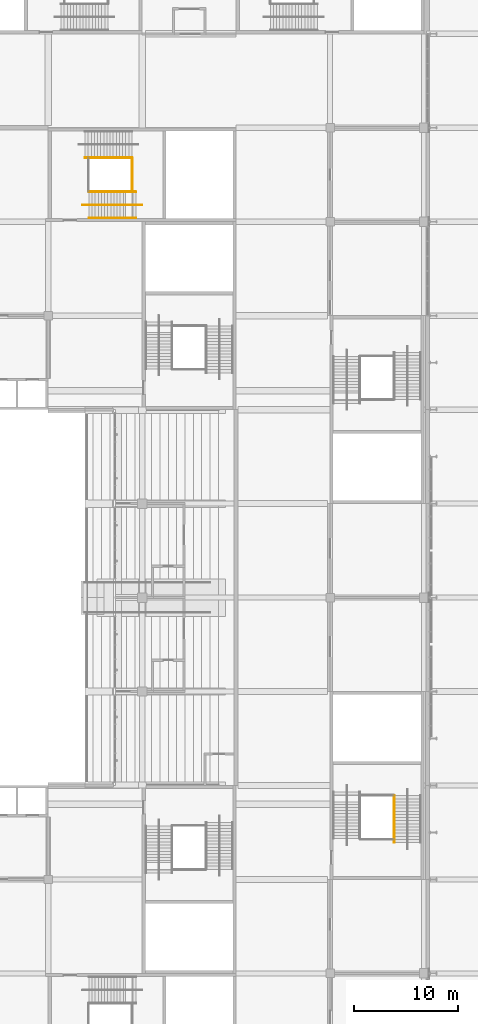
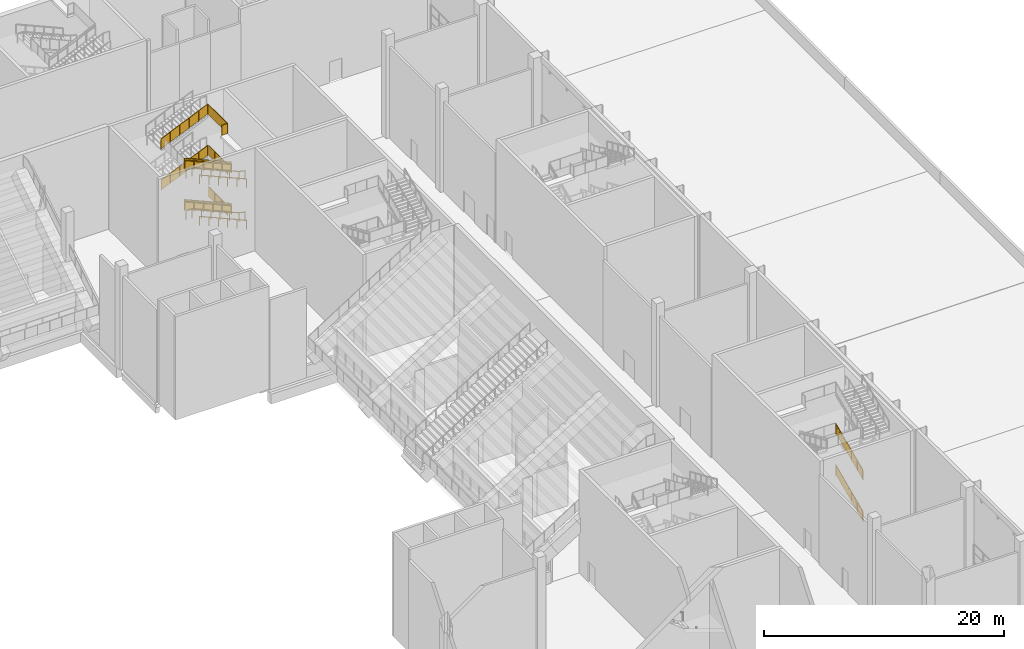
# One storey, part 166 of 182: 18 railings.
"""IFC4 building model written with IfcOpenShell, lengths in metres."""

from ifc_helpers import new_model, si_unit, direction, frame, origin, origin_2d, place, context, subcontext, project, spatial, polyline, circle, outline, extrude, material, type_object, element, save


model = new_model("IFC4")

# Units and contexts
model_context = context("Model", 3, precision=1e-05, world=origin(), true_north=direction((0.0, 1.0)))
body_context = subcontext(model_context, "Body", "Model", "MODEL_VIEW")
ifc_project = project(units=[si_unit("LENGTHUNIT", "METRE"), si_unit("AREAUNIT", "SQUARE_METRE"), si_unit("VOLUMEUNIT", "CUBIC_METRE"), si_unit("PLANEANGLEUNIT", "RADIAN"), si_unit("MASSUNIT", "GRAM", prefix="KILO")], contexts=[model_context])

# Site, building, storey
site_placement = place(None, origin())
site = spatial("IfcSite", under=ifc_project, at=site_placement, CompositionType="ELEMENT")
building_placement = place(site_placement, origin())
building = spatial("IfcBuilding", under=site, at=building_placement, Name="Silverbay Arena", CompositionType="ELEMENT")
storey_placement = place(building_placement, frame((0.0, 0.0, 11.5)))
storey = spatial("IfcBuildingStorey", under=building, at=storey_placement, Name="L02", CompositionType="ELEMENT", Elevation=11.5)

# Railings
ifc_material_1 = material(Name="Stainless steel", Category="steel")
railing_type_1 = type_object("IfcRailingType", Name="Stair guard 1100", PredefinedType="GUARDRAIL", material=ifc_material_1)
railing_1_placement = place(storey_placement, frame((204.125, 57.52587890625, 0.13134765625)))
element("IfcRailing", 1, at=railing_1_placement, inside=storey, type_object=railing_type_1, Name="Stair ST-E1 L02 to L03 flight 1 guard left", PredefinedType="GUARDRAIL", context=body_context, shape_type="SweptSolid", body=[
    extrude(circle(Radius=0.02392578125, at=origin_2d()), frame((0.0, 0.0, 1.076171875), z_axis=(0.0, 0.916157334902, 0.40081883402), x_axis=(-1.0, 0.0, 0.0)), (0.0, 0.0, 1.0), 4.911865234375),
    extrude(outline(polyline([(-0.008056640625, 0.04638671875), (0.907958984375, 0.447265625), (0.907958984375, 1.4501953125), (-0.008056640625, 1.049560546875), (-0.008056640625, 0.04638671875)])), frame((-0.0029296875, 0.0, 0.0), z_axis=(1.0, 0.0, 0.0), x_axis=(0.0, 1.0, 0.0)), (0.0, 0.0, 1.0), 0.006103515625),
    extrude(outline(polyline([(-0.008056640625, 0.440185546875), (0.907958984375, 0.841064453125), (0.907958984375, 1.843994140625), (-0.008056640625, 1.443359375), (-0.008056640625, 0.440185546875)])), frame((-0.0029296875, 0.89990234375, 0.0), z_axis=(1.0, 0.0, 0.0), x_axis=(0.0, 1.0, 0.0)), (0.0, 0.0, 1.0), 0.006103515625),
    extrude(outline(polyline([(-0.008056640625, 0.833984375), (0.907958984375, 1.23486328125), (0.907958984375, 2.23779296875), (-0.008056640625, 1.8369140625), (-0.008056640625, 0.833984375)])), frame((-0.0029296875, 1.800048828125, 0.0), z_axis=(1.0, 0.0, 0.0), x_axis=(0.0, 1.0, 0.0)), (0.0, 0.0, 1.0), 0.006103515625),
    extrude(outline(polyline([(-0.008056640625, 1.227783203125), (0.907958984375, 1.62841796875), (0.907958984375, 2.631591796875), (-0.008056640625, 2.230712890625), (-0.008056640625, 1.227783203125)])), frame((-0.0029296875, 2.699951171875, 0.0), z_axis=(1.0, 0.0, 0.0), x_axis=(0.0, 1.0, 0.0)), (0.0, 0.0, 1.0), 0.006103515625),
    extrude(outline(polyline([(-0.008056640625, 1.62158203125), (0.907958984375, 2.022216796875), (0.907958984375, 3.025146484375), (-0.008056640625, 2.62451171875), (-0.008056640625, 1.62158203125)])), frame((-0.0029296875, 3.60009765625, 0.0), z_axis=(1.0, 0.0, 0.0), x_axis=(0.0, 1.0, 0.0)), (0.0, 0.0, 1.0), 0.006103515625),
    extrude(circle(Radius=0.02099609375, at=origin_2d()), origin(), (0.0, 0.0, 1.0), 1.052001953125),
    extrude(circle(Radius=0.02099609375, at=origin_2d()), frame((0.0, 0.89990234375, 0.393798828125)), (0.0, 0.0, 1.0), 1.052001953125),
    extrude(circle(Radius=0.02099609375, at=origin_2d()), frame((0.0, 1.800048828125, 0.78759765625)), (0.0, 0.0, 1.0), 1.052001953125),
    extrude(circle(Radius=0.02099609375, at=origin_2d()), frame((0.0, 2.699951171875, 1.18115234375)), (0.0, 0.0, 1.0), 1.052001953125),
    extrude(circle(Radius=0.02099609375, at=origin_2d()), frame((0.0, 3.60009765625, 1.574951171875)), (0.0, 0.0, 1.0), 1.052001953125),
    extrude(circle(Radius=0.02099609375, at=origin_2d()), frame((0.0, 4.5, 1.96875)), (0.0, 0.0, 1.0), 1.052001953125),
])
railing_2_placement = place(storey_placement, frame((204.125, 57.52587890625, 4.331298828125)))
element("IfcRailing", 2, at=railing_2_placement, inside=storey, type_object=railing_type_1, Name="Stair ST-E1 L02 to L03 flight 3 guard left", PredefinedType="GUARDRAIL", context=body_context, shape_type="SweptSolid", body=[
    extrude(circle(Radius=0.02392578125, at=origin_2d()), frame((0.0, 0.0, 1.076171875), z_axis=(0.0, 0.916157334902, 0.40081883402), x_axis=(-1.0, 0.0, 0.0)), (0.0, 0.0, 1.0), 4.911865234375),
    extrude(outline(polyline([(-0.008056640625, 0.04638671875), (0.907958984375, 0.447265625), (0.907958984375, 1.4501953125), (-0.008056640625, 1.049560546875), (-0.008056640625, 0.04638671875)])), frame((-0.0029296875, 0.0, 0.0), z_axis=(1.0, 0.0, 0.0), x_axis=(0.0, 1.0, 0.0)), (0.0, 0.0, 1.0), 0.006103515625),
    extrude(outline(polyline([(-0.008056640625, 0.440185546875), (0.907958984375, 0.841064453125), (0.907958984375, 1.843994140625), (-0.008056640625, 1.443359375), (-0.008056640625, 0.440185546875)])), frame((-0.0029296875, 0.89990234375, 0.0), z_axis=(1.0, 0.0, 0.0), x_axis=(0.0, 1.0, 0.0)), (0.0, 0.0, 1.0), 0.006103515625),
    extrude(outline(polyline([(-0.008056640625, 0.833984375), (0.907958984375, 1.23486328125), (0.907958984375, 2.23779296875), (-0.008056640625, 1.8369140625), (-0.008056640625, 0.833984375)])), frame((-0.0029296875, 1.800048828125, 0.0), z_axis=(1.0, 0.0, 0.0), x_axis=(0.0, 1.0, 0.0)), (0.0, 0.0, 1.0), 0.006103515625),
    extrude(outline(polyline([(-0.008056640625, 1.227783203125), (0.907958984375, 1.62841796875), (0.907958984375, 2.631591796875), (-0.008056640625, 2.230712890625), (-0.008056640625, 1.227783203125)])), frame((-0.0029296875, 2.699951171875, 0.0), z_axis=(1.0, 0.0, 0.0), x_axis=(0.0, 1.0, 0.0)), (0.0, 0.0, 1.0), 0.006103515625),
    extrude(outline(polyline([(-0.008056640625, 1.62158203125), (0.907958984375, 2.022216796875), (0.907958984375, 3.025146484375), (-0.008056640625, 2.62451171875), (-0.008056640625, 1.62158203125)])), frame((-0.0029296875, 3.60009765625, 0.0), z_axis=(1.0, 0.0, 0.0), x_axis=(0.0, 1.0, 0.0)), (0.0, 0.0, 1.0), 0.006103515625),
    extrude(circle(Radius=0.02099609375, at=origin_2d()), origin(), (0.0, 0.0, 1.0), 1.052001953125),
    extrude(circle(Radius=0.02099609375, at=origin_2d()), frame((0.0, 0.89990234375, 0.393798828125)), (0.0, 0.0, 1.0), 1.052001953125),
    extrude(circle(Radius=0.02099609375, at=origin_2d()), frame((0.0, 1.800048828125, 0.78759765625)), (0.0, 0.0, 1.0), 1.052001953125),
    extrude(circle(Radius=0.02099609375, at=origin_2d()), frame((0.0, 2.699951171875, 1.18115234375)), (0.0, 0.0, 1.0), 1.052001953125),
    extrude(circle(Radius=0.02099609375, at=origin_2d()), frame((0.0, 3.60009765625, 1.574951171875)), (0.0, 0.0, 1.0), 1.052001953125),
    extrude(circle(Radius=0.02099609375, at=origin_2d()), frame((0.0, 4.5, 1.96875)), (0.0, 0.0, 1.0), 1.052001953125),
])
railing_3_placement = place(storey_placement, frame((179.39990234375, 119.875, 2.231201171875)))
element("IfcRailing", 3, at=railing_3_placement, inside=storey, type_object=railing_type_1, Name="Stair ST-NE1 L02 to L03 flight 2 guard right", PredefinedType="GUARDRAIL", context=body_context, shape_type="SweptSolid", body=[
    extrude(circle(Radius=0.02392578125, at=origin_2d()), frame((0.0, 0.0, 1.076171875), z_axis=(-0.916157334902, 0.0, 0.40081883402), x_axis=(0.0, -1.0, 0.0)), (0.0, 0.0, 1.0), 4.911865234375),
    extrude(outline(polyline([(-0.008056640625, 0.04638671875), (0.907958984375, 0.447265625), (0.907958984375, 1.4501953125), (-0.008056640625, 1.049560546875), (-0.008056640625, 0.04638671875)])), frame((0.0, -0.0029296875, 0.0), z_axis=(0.0, 1.0, 0.0), x_axis=(-1.0, 0.0, 0.0)), (0.0, 0.0, 1.0), 0.006103515625),
    extrude(outline(polyline([(-0.008056640625, 0.440185546875), (0.907958984375, 0.841064453125), (0.907958984375, 1.843994140625), (-0.008056640625, 1.443359375), (-0.008056640625, 0.440185546875)])), frame((-0.89990234375, -0.0029296875, 0.0), z_axis=(0.0, 1.0, 0.0), x_axis=(-1.0, 0.0, 0.0)), (0.0, 0.0, 1.0), 0.006103515625),
    extrude(outline(polyline([(-0.008056640625, 0.833984375), (0.907958984375, 1.23486328125), (0.907958984375, 2.23779296875), (-0.008056640625, 1.8369140625), (-0.008056640625, 0.833984375)])), frame((-1.800048828125, -0.0029296875, 0.0), z_axis=(0.0, 1.0, 0.0), x_axis=(-1.0, 0.0, 0.0)), (0.0, 0.0, 1.0), 0.006103515625),
    extrude(outline(polyline([(-0.008056640625, 1.227783203125), (0.907958984375, 1.62841796875), (0.907958984375, 2.631591796875), (-0.008056640625, 2.230712890625), (-0.008056640625, 1.227783203125)])), frame((-2.699951171875, -0.0029296875, 0.0), z_axis=(0.0, 1.0, 0.0), x_axis=(-1.0, 0.0, 0.0)), (0.0, 0.0, 1.0), 0.006103515625),
    extrude(outline(polyline([(-0.008056640625, 1.62158203125), (0.907958984375, 2.022216796875), (0.907958984375, 3.025146484375), (-0.008056640625, 2.62451171875), (-0.008056640625, 1.62158203125)])), frame((-3.60009765625, -0.0029296875, 0.0), z_axis=(0.0, 1.0, 0.0), x_axis=(-1.0, 0.0, 0.0)), (0.0, 0.0, 1.0), 0.006103515625),
    extrude(circle(Radius=0.02099609375, at=origin_2d()), origin(), (0.0, 0.0, 1.0), 1.052001953125),
    extrude(circle(Radius=0.02099609375, at=origin_2d()), frame((-0.89990234375, 0.0, 0.393798828125)), (0.0, 0.0, 1.0), 1.052001953125),
    extrude(circle(Radius=0.02099609375, at=origin_2d()), frame((-1.800048828125, 0.0, 0.78759765625)), (0.0, 0.0, 1.0), 1.052001953125),
    extrude(circle(Radius=0.02099609375, at=origin_2d()), frame((-2.699951171875, 0.0, 1.18115234375)), (0.0, 0.0, 1.0), 1.052001953125),
    extrude(circle(Radius=0.02099609375, at=origin_2d()), frame((-3.60009765625, 0.0, 1.574951171875)), (0.0, 0.0, 1.0), 1.052001953125),
    extrude(circle(Radius=0.02099609375, at=origin_2d()), frame((-4.5, 0.0, 1.96875)), (0.0, 0.0, 1.0), 1.052001953125),
])
railing_4_placement = place(storey_placement, frame((174.52587890625, 123.125, 4.331298828125)))
element("IfcRailing", 4, at=railing_4_placement, inside=storey, type_object=railing_type_1, Name="Stair ST-NE1 L02 to L03 flight 3 guard left", PredefinedType="GUARDRAIL", context=body_context, shape_type="SweptSolid", body=[
    extrude(circle(Radius=0.02392578125, at=origin_2d()), frame((0.0, 0.0, 1.076171875), z_axis=(0.916157334902, 0.0, 0.40081883402), x_axis=(0.0, 1.0, 0.0)), (0.0, 0.0, 1.0), 4.911865234375),
    extrude(outline(polyline([(-0.008056640625, 0.04638671875), (0.907958984375, 0.447265625), (0.907958984375, 1.4501953125), (-0.008056640625, 1.049560546875), (-0.008056640625, 0.04638671875)])), frame((0.0, 0.0029296875, 0.0), z_axis=(0.0, -1.0, 0.0), x_axis=(1.0, 0.0, 0.0)), (0.0, 0.0, 1.0), 0.006103515625),
    extrude(outline(polyline([(-0.008056640625, 0.440185546875), (0.907958984375, 0.841064453125), (0.907958984375, 1.843994140625), (-0.008056640625, 1.443359375), (-0.008056640625, 0.440185546875)])), frame((0.89990234375, 0.0029296875, 0.0), z_axis=(0.0, -1.0, 0.0), x_axis=(1.0, 0.0, 0.0)), (0.0, 0.0, 1.0), 0.006103515625),
    extrude(outline(polyline([(-0.008056640625, 0.833984375), (0.907958984375, 1.23486328125), (0.907958984375, 2.23779296875), (-0.008056640625, 1.8369140625), (-0.008056640625, 0.833984375)])), frame((1.800048828125, 0.0029296875, 0.0), z_axis=(0.0, -1.0, 0.0), x_axis=(1.0, 0.0, 0.0)), (0.0, 0.0, 1.0), 0.006103515625),
    extrude(outline(polyline([(-0.008056640625, 1.227783203125), (0.907958984375, 1.62841796875), (0.907958984375, 2.631591796875), (-0.008056640625, 2.230712890625), (-0.008056640625, 1.227783203125)])), frame((2.699951171875, 0.0029296875, 0.0), z_axis=(0.0, -1.0, 0.0), x_axis=(1.0, 0.0, 0.0)), (0.0, 0.0, 1.0), 0.006103515625),
    extrude(outline(polyline([(-0.008056640625, 1.62158203125), (0.907958984375, 2.022216796875), (0.907958984375, 3.025146484375), (-0.008056640625, 2.62451171875), (-0.008056640625, 1.62158203125)])), frame((3.60009765625, 0.0029296875, 0.0), z_axis=(0.0, -1.0, 0.0), x_axis=(1.0, 0.0, 0.0)), (0.0, 0.0, 1.0), 0.006103515625),
    extrude(circle(Radius=0.02099609375, at=origin_2d()), origin(), (0.0, 0.0, 1.0), 1.052001953125),
    extrude(circle(Radius=0.02099609375, at=origin_2d()), frame((0.89990234375, 0.0, 0.393798828125)), (0.0, 0.0, 1.0), 1.052001953125),
    extrude(circle(Radius=0.02099609375, at=origin_2d()), frame((1.800048828125, 0.0, 0.78759765625)), (0.0, 0.0, 1.0), 1.052001953125),
    extrude(circle(Radius=0.02099609375, at=origin_2d()), frame((2.699951171875, 0.0, 1.18115234375)), (0.0, 0.0, 1.0), 1.052001953125),
    extrude(circle(Radius=0.02099609375, at=origin_2d()), frame((3.60009765625, 0.0, 1.574951171875)), (0.0, 0.0, 1.0), 1.052001953125),
    extrude(circle(Radius=0.02099609375, at=origin_2d()), frame((4.5, 0.0, 1.96875)), (0.0, 0.0, 1.0), 1.052001953125),
])
railing_5_placement = place(storey_placement, frame((179.39990234375, 119.875, 6.43115234375)))
element("IfcRailing", 5, at=railing_5_placement, inside=storey, type_object=railing_type_1, Name="Stair ST-NE1 L02 to L03 flight 4 guard right", PredefinedType="GUARDRAIL", context=body_context, shape_type="SweptSolid", body=[
    extrude(circle(Radius=0.02392578125, at=origin_2d()), frame((0.0, 0.0, 1.076171875), z_axis=(-0.916157334902, 0.0, 0.40081883402), x_axis=(0.0, -1.0, 0.0)), (0.0, 0.0, 1.0), 4.911865234375),
    extrude(outline(polyline([(-0.008056640625, 0.04638671875), (0.907958984375, 0.447265625), (0.907958984375, 1.4501953125), (-0.008056640625, 1.049560546875), (-0.008056640625, 0.04638671875)])), frame((0.0, -0.0029296875, 0.0), z_axis=(0.0, 1.0, 0.0), x_axis=(-1.0, 0.0, 0.0)), (0.0, 0.0, 1.0), 0.006103515625),
    extrude(outline(polyline([(-0.008056640625, 0.440185546875), (0.907958984375, 0.841064453125), (0.907958984375, 1.843994140625), (-0.008056640625, 1.443359375), (-0.008056640625, 0.440185546875)])), frame((-0.89990234375, -0.0029296875, 0.0), z_axis=(0.0, 1.0, 0.0), x_axis=(-1.0, 0.0, 0.0)), (0.0, 0.0, 1.0), 0.006103515625),
    extrude(outline(polyline([(-0.008056640625, 0.833984375), (0.907958984375, 1.23486328125), (0.907958984375, 2.23779296875), (-0.008056640625, 1.8369140625), (-0.008056640625, 0.833984375)])), frame((-1.800048828125, -0.0029296875, 0.0), z_axis=(0.0, 1.0, 0.0), x_axis=(-1.0, 0.0, 0.0)), (0.0, 0.0, 1.0), 0.006103515625),
    extrude(outline(polyline([(-0.008056640625, 1.227783203125), (0.907958984375, 1.62841796875), (0.907958984375, 2.631591796875), (-0.008056640625, 2.230712890625), (-0.008056640625, 1.227783203125)])), frame((-2.699951171875, -0.0029296875, 0.0), z_axis=(0.0, 1.0, 0.0), x_axis=(-1.0, 0.0, 0.0)), (0.0, 0.0, 1.0), 0.006103515625),
    extrude(outline(polyline([(-0.008056640625, 1.62158203125), (0.907958984375, 2.022216796875), (0.907958984375, 3.025146484375), (-0.008056640625, 2.62451171875), (-0.008056640625, 1.62158203125)])), frame((-3.60009765625, -0.0029296875, 0.0), z_axis=(0.0, 1.0, 0.0), x_axis=(-1.0, 0.0, 0.0)), (0.0, 0.0, 1.0), 0.006103515625),
    extrude(circle(Radius=0.02099609375, at=origin_2d()), origin(), (0.0, 0.0, 1.0), 1.052001953125),
    extrude(circle(Radius=0.02099609375, at=origin_2d()), frame((-0.89990234375, 0.0, 0.393798828125)), (0.0, 0.0, 1.0), 1.052001953125),
    extrude(circle(Radius=0.02099609375, at=origin_2d()), frame((-1.800048828125, 0.0, 0.78759765625)), (0.0, 0.0, 1.0), 1.052001953125),
    extrude(circle(Radius=0.02099609375, at=origin_2d()), frame((-2.699951171875, 0.0, 1.18115234375)), (0.0, 0.0, 1.0), 1.052001953125),
    extrude(circle(Radius=0.02099609375, at=origin_2d()), frame((-3.60009765625, 0.0, 1.574951171875)), (0.0, 0.0, 1.0), 1.052001953125),
    extrude(circle(Radius=0.02099609375, at=origin_2d()), frame((-4.5, 0.0, 1.96875)), (0.0, 0.0, 1.0), 1.052001953125),
])
railing_6_placement = place(storey_placement, frame((174.52587890625, 123.125, 8.53125)))
element("IfcRailing", 6, at=railing_6_placement, inside=storey, type_object=railing_type_1, Name="Stair ST-NE1 L02 to L03 flight 5 guard left", PredefinedType="GUARDRAIL", context=body_context, shape_type="SweptSolid", body=[
    extrude(circle(Radius=0.02392578125, at=origin_2d()), frame((0.0, 0.0, 1.076171875), z_axis=(0.916157334902, 0.0, 0.40081883402), x_axis=(0.0, 1.0, 0.0)), (0.0, 0.0, 1.0), 4.911865234375),
    extrude(outline(polyline([(-0.008056640625, 0.04638671875), (0.907958984375, 0.447265625), (0.907958984375, 1.4501953125), (-0.008056640625, 1.049560546875), (-0.008056640625, 0.04638671875)])), frame((0.0, 0.0029296875, 0.0), z_axis=(0.0, -1.0, 0.0), x_axis=(1.0, 0.0, 0.0)), (0.0, 0.0, 1.0), 0.006103515625),
    extrude(outline(polyline([(-0.008056640625, 0.440185546875), (0.907958984375, 0.841064453125), (0.907958984375, 1.843994140625), (-0.008056640625, 1.443359375), (-0.008056640625, 0.440185546875)])), frame((0.89990234375, 0.0029296875, 0.0), z_axis=(0.0, -1.0, 0.0), x_axis=(1.0, 0.0, 0.0)), (0.0, 0.0, 1.0), 0.006103515625),
    extrude(outline(polyline([(-0.008056640625, 0.833984375), (0.907958984375, 1.23486328125), (0.907958984375, 2.23779296875), (-0.008056640625, 1.8369140625), (-0.008056640625, 0.833984375)])), frame((1.800048828125, 0.0029296875, 0.0), z_axis=(0.0, -1.0, 0.0), x_axis=(1.0, 0.0, 0.0)), (0.0, 0.0, 1.0), 0.006103515625),
    extrude(outline(polyline([(-0.008056640625, 1.227783203125), (0.907958984375, 1.62841796875), (0.907958984375, 2.631591796875), (-0.008056640625, 2.230712890625), (-0.008056640625, 1.227783203125)])), frame((2.699951171875, 0.0029296875, 0.0), z_axis=(0.0, -1.0, 0.0), x_axis=(1.0, 0.0, 0.0)), (0.0, 0.0, 1.0), 0.006103515625),
    extrude(outline(polyline([(-0.008056640625, 1.62158203125), (0.907958984375, 2.022216796875), (0.907958984375, 3.025146484375), (-0.008056640625, 2.62451171875), (-0.008056640625, 1.62158203125)])), frame((3.60009765625, 0.0029296875, 0.0), z_axis=(0.0, -1.0, 0.0), x_axis=(1.0, 0.0, 0.0)), (0.0, 0.0, 1.0), 0.006103515625),
    extrude(circle(Radius=0.02099609375, at=origin_2d()), origin(), (0.0, 0.0, 1.0), 1.052001953125),
    extrude(circle(Radius=0.02099609375, at=origin_2d()), frame((0.89990234375, 0.0, 0.393798828125)), (0.0, 0.0, 1.0), 1.052001953125),
    extrude(circle(Radius=0.02099609375, at=origin_2d()), frame((1.800048828125, 0.0, 0.78759765625)), (0.0, 0.0, 1.0), 1.052001953125),
    extrude(circle(Radius=0.02099609375, at=origin_2d()), frame((2.699951171875, 0.0, 1.18115234375)), (0.0, 0.0, 1.0), 1.052001953125),
    extrude(circle(Radius=0.02099609375, at=origin_2d()), frame((3.60009765625, 0.0, 1.574951171875)), (0.0, 0.0, 1.0), 1.052001953125),
    extrude(circle(Radius=0.02099609375, at=origin_2d()), frame((4.5, 0.0, 1.96875)), (0.0, 0.0, 1.0), 1.052001953125),
])
for number, where, name in (
    (7, (179.07568359375, 119.89990234375, 2.10009765625), "Stair ST-NE1 L02 to L03 landing 1 guard"),
    (8, (179.07568359375, 119.89990234375, 6.300048828125), "Stair ST-NE1 L02 to L03 landing 3 guard"),
):
    element("IfcRailing", number, at=place(storey_placement, frame(where)), inside=storey, type_object=railing_type_1, Name=name, PredefinedType="GUARDRAIL", context=body_context, shape_type="SweptSolid", body=[
        extrude(circle(Radius=0.02392578125, at=origin_2d()), frame((0.0, 0.0, 1.076171875), z_axis=(0.0, 1.0, 0.0), x_axis=(-1.0, 0.0, 0.0)), (0.0, 0.0, 1.0), 3.2001953125),
        extrude(outline(polyline([(-0.008056640625, 0.050048828125), (1.07470703125, 0.050048828125), (1.07470703125, 1.052978515625), (-0.008056640625, 1.052978515625), (-0.008056640625, 0.050048828125)])), frame((-0.0029296875, 0.0, 0.0), z_axis=(1.0, 0.0, 0.0), x_axis=(0.0, 1.0, 0.0)), (0.0, 0.0, 1.0), 0.006103515625),
        extrude(outline(polyline([(-0.008056640625, 0.050048828125), (1.07470703125, 0.050048828125), (1.07470703125, 1.052978515625), (-0.008056640625, 1.052978515625), (-0.008056640625, 0.050048828125)])), frame((-0.0029296875, 1.066650390625, 0.0), z_axis=(1.0, 0.0, 0.0), x_axis=(0.0, 1.0, 0.0)), (0.0, 0.0, 1.0), 0.006103515625),
        extrude(outline(polyline([(-0.008056640625, 0.050048828125), (1.07470703125, 0.050048828125), (1.07470703125, 1.052978515625), (-0.008056640625, 1.052978515625), (-0.008056640625, 0.050048828125)])), frame((-0.0029296875, 2.133544921875, 0.0), z_axis=(1.0, 0.0, 0.0), x_axis=(0.0, 1.0, 0.0)), (0.0, 0.0, 1.0), 0.006103515625),
        extrude(circle(Radius=0.02099609375, at=origin_2d()), origin(), (0.0, 0.0, 1.0), 1.052001953125),
        extrude(circle(Radius=0.02099609375, at=origin_2d()), frame((0.0, 1.066650390625, 0.0)), (0.0, 0.0, 1.0), 1.052001953125),
        extrude(circle(Radius=0.02099609375, at=origin_2d()), frame((0.0, 2.133544921875, 0.0)), (0.0, 0.0, 1.0), 1.052001953125),
        extrude(circle(Radius=0.02099609375, at=origin_2d()), frame((0.0, 3.2001953125, 0.0)), (0.0, 0.0, 1.0), 1.052001953125),
    ])
railing_7_placement = place(storey_placement, frame((178.449951171875, 119.85009765625, 10.5)))
element("IfcRailing", 9, at=railing_7_placement, inside=storey, type_object=railing_type_1, Name="Stair ST-NE1 L02 to L03 landing 5 guard", PredefinedType="GUARDRAIL", context=body_context, shape_type="SweptSolid", body=[
    extrude(circle(Radius=0.02392578125, at=origin_2d()), frame((0.0, 0.0, 1.076171875), z_axis=(1.0, 0.0, 0.0), x_axis=(0.0, 1.0, 0.0)), (0.0, 0.0, 1.0), 0.575927734375),
    extrude(outline(polyline([(-0.008056640625, 0.050048828125), (0.583984375, 0.050048828125), (0.583984375, 1.052978515625), (-0.008056640625, 1.052978515625), (-0.008056640625, 0.050048828125)])), frame((0.0, 0.0029296875, 0.0), z_axis=(0.0, -1.0, 0.0), x_axis=(1.0, 0.0, 0.0)), (0.0, 0.0, 1.0), 0.006103515625),
    extrude(circle(Radius=0.02392578125, at=origin_2d()), frame((0.575927734375, 0.0, 1.076171875), z_axis=(0.0, 1.0, 0.0), x_axis=(-1.0, 0.0, 0.0)), (0.0, 0.0, 1.0), 3.25),
    extrude(outline(polyline([(-0.008056640625, 0.050048828125), (1.09130859375, 0.050048828125), (1.09130859375, 1.052978515625), (-0.008056640625, 1.052978515625), (-0.008056640625, 0.050048828125)])), frame((0.572998046875, 0.0, 0.0), z_axis=(1.0, 0.0, 0.0), x_axis=(0.0, 1.0, 0.0)), (0.0, 0.0, 1.0), 0.006103515625),
    extrude(outline(polyline([(-0.008056640625, 0.050048828125), (1.09130859375, 0.050048828125), (1.09130859375, 1.052978515625), (-0.008056640625, 1.052978515625), (-0.008056640625, 0.050048828125)])), frame((0.572998046875, 1.083251953125, 0.0), z_axis=(1.0, 0.0, 0.0), x_axis=(0.0, 1.0, 0.0)), (0.0, 0.0, 1.0), 0.006103515625),
    extrude(outline(polyline([(-0.008056640625, 0.050048828125), (1.09130859375, 0.050048828125), (1.09130859375, 1.052978515625), (-0.008056640625, 1.052978515625), (-0.008056640625, 0.050048828125)])), frame((0.572998046875, 2.166748046875, 0.0), z_axis=(1.0, 0.0, 0.0), x_axis=(0.0, 1.0, 0.0)), (0.0, 0.0, 1.0), 0.006103515625),
    extrude(circle(Radius=0.02099609375, at=origin_2d()), origin(), (0.0, 0.0, 1.0), 1.052001953125),
    extrude(circle(Radius=0.02099609375, at=origin_2d()), frame((0.575927734375, 0.0, 0.0)), (0.0, 0.0, 1.0), 1.052001953125),
    extrude(circle(Radius=0.02099609375, at=origin_2d()), frame((0.575927734375, 1.083251953125, 0.0)), (0.0, 0.0, 1.0), 1.052001953125),
    extrude(circle(Radius=0.02099609375, at=origin_2d()), frame((0.575927734375, 2.166748046875, 0.0)), (0.0, 0.0, 1.0), 1.052001953125),
    extrude(circle(Radius=0.02099609375, at=origin_2d()), frame((0.575927734375, 3.25, 0.0)), (0.0, 0.0, 1.0), 1.052001953125),
])
ifc_material_2 = material(Name="Stainless steel", Category="steel")
railing_type_2 = type_object("IfcRailingType", Name="Stair handrail 900", PredefinedType="HANDRAIL", material=ifc_material_2)
for number, where, name in (
    (10, (204.1640625, 57.52587890625, 0.13134765625), "Stair ST-E1 L02 to L03 flight 1 handrail left"),
    (11, (204.1640625, 57.52587890625, 4.331298828125), "Stair ST-E1 L02 to L03 flight 3 handrail left"),
):
    element("IfcRailing", number, at=place(storey_placement, frame(where)), inside=storey, type_object=railing_type_2, Name=name, PredefinedType="HANDRAIL", context=body_context, shape_type="SweptSolid", body=[
        extrude(circle(Radius=0.02392578125, at=origin_2d()), frame((0.0, 0.0, 0.8759765625), z_axis=(0.0, 0.916157334902, 0.40081883402), x_axis=(-1.0, 0.0, 0.0)), (0.0, 0.0, 1.0), 4.911865234375),
        extrude(circle(Radius=0.02099609375, at=origin_2d()), origin(), (0.0, 0.0, 1.0), 0.851806640625),
        extrude(circle(Radius=0.02099609375, at=origin_2d()), frame((0.0, 0.89990234375, 0.393798828125)), (0.0, 0.0, 1.0), 0.851806640625),
        extrude(circle(Radius=0.02099609375, at=origin_2d()), frame((0.0, 1.800048828125, 0.78759765625)), (0.0, 0.0, 1.0), 0.851806640625),
        extrude(circle(Radius=0.02099609375, at=origin_2d()), frame((0.0, 2.699951171875, 1.18115234375)), (0.0, 0.0, 1.0), 0.851806640625),
        extrude(circle(Radius=0.02099609375, at=origin_2d()), frame((0.0, 3.60009765625, 1.574951171875)), (0.0, 0.0, 1.0), 0.851806640625),
        extrude(circle(Radius=0.02099609375, at=origin_2d()), frame((0.0, 4.5, 1.96875)), (0.0, 0.0, 1.0), 0.851806640625),
    ])
for number, where, name in (
    (12, (179.39990234375, 117.35009765625, 2.231201171875), "Stair ST-NE1 L02 to L03 flight 2 handrail left"),
    (13, (179.39990234375, 119.8359375, 2.231201171875), "Stair ST-NE1 L02 to L03 flight 2 handrail right"),
):
    element("IfcRailing", number, at=place(storey_placement, frame(where)), inside=storey, type_object=railing_type_2, Name=name, PredefinedType="HANDRAIL", context=body_context, shape_type="SweptSolid", body=[
        extrude(circle(Radius=0.02392578125, at=origin_2d()), frame((0.0, 0.0, 0.8759765625), z_axis=(-0.916157334902, 0.0, 0.40081883402), x_axis=(0.0, -1.0, 0.0)), (0.0, 0.0, 1.0), 4.911865234375),
        extrude(circle(Radius=0.02099609375, at=origin_2d()), origin(), (0.0, 0.0, 1.0), 0.851806640625),
        extrude(circle(Radius=0.02099609375, at=origin_2d()), frame((-0.89990234375, 0.0, 0.393798828125)), (0.0, 0.0, 1.0), 0.851806640625),
        extrude(circle(Radius=0.02099609375, at=origin_2d()), frame((-1.800048828125, 0.0, 0.78759765625)), (0.0, 0.0, 1.0), 0.851806640625),
        extrude(circle(Radius=0.02099609375, at=origin_2d()), frame((-2.699951171875, 0.0, 1.18115234375)), (0.0, 0.0, 1.0), 0.851806640625),
        extrude(circle(Radius=0.02099609375, at=origin_2d()), frame((-3.60009765625, 0.0, 1.574951171875)), (0.0, 0.0, 1.0), 0.851806640625),
        extrude(circle(Radius=0.02099609375, at=origin_2d()), frame((-4.5, 0.0, 1.96875)), (0.0, 0.0, 1.0), 0.851806640625),
    ])
railing_8_placement = place(storey_placement, frame((180.0, 118.60009765625, 2.10009765625)))
element("IfcRailing", 14, at=railing_8_placement, inside=storey, type_object=railing_type_2, Name="Stair ST-NE1 L02 to L03 flight 2 central handrail", PredefinedType="HANDRAIL", context=body_context, shape_type="SweptSolid", body=[
    extrude(circle(Radius=0.02392578125, at=origin_2d()), frame((0.0, 0.0, 0.8759765625), z_axis=(-0.976957027196, 0.0, 0.213436095852), x_axis=(0.0, -1.0, 0.0)), (0.0, 0.0, 1.0), 0.6142578125),
    extrude(circle(Radius=0.02392578125, at=origin_2d()), frame((-0.60009765625, 0.0, 1.0068359375), z_axis=(-0.916157334902, 0.0, 0.40081883402), x_axis=(0.0, -1.0, 0.0)), (0.0, 0.0, 1.0), 4.911865234375),
    extrude(circle(Radius=0.02392578125, at=origin_2d()), frame((-5.10009765625, 0.0, 2.9755859375), z_axis=(-1.0, 0.0, 0.0), x_axis=(0.0, -1.0, 0.0)), (0.0, 0.0, 1.0), 0.599853515625),
    extrude(circle(Radius=0.02099609375, at=origin_2d()), origin(), (0.0, 0.0, 1.0), 0.851806640625),
    extrude(circle(Radius=0.02099609375, at=origin_2d()), frame((-0.60009765625, 0.0, 0.131103515625)), (0.0, 0.0, 1.0), 0.851806640625),
    extrude(circle(Radius=0.02099609375, at=origin_2d()), frame((-1.5, 0.0, 0.52490234375)), (0.0, 0.0, 1.0), 0.851806640625),
    extrude(circle(Radius=0.02099609375, at=origin_2d()), frame((-2.400146484375, 0.0, 0.918701171875)), (0.0, 0.0, 1.0), 0.851806640625),
    extrude(circle(Radius=0.02099609375, at=origin_2d()), frame((-3.300048828125, 0.0, 1.312255859375)), (0.0, 0.0, 1.0), 0.851806640625),
    extrude(circle(Radius=0.02099609375, at=origin_2d()), frame((-4.2001953125, 0.0, 1.7060546875)), (0.0, 0.0, 1.0), 0.851806640625),
    extrude(circle(Radius=0.02099609375, at=origin_2d()), frame((-5.10009765625, 0.0, 2.099853515625)), (0.0, 0.0, 1.0), 0.851806640625),
    extrude(circle(Radius=0.02099609375, at=origin_2d()), frame((-5.699951171875, 0.0, 2.099853515625)), (0.0, 0.0, 1.0), 0.851806640625),
])
for number, where, name in (
    (15, (179.39990234375, 117.35009765625, 6.43115234375), "Stair ST-NE1 L02 to L03 flight 4 handrail left"),
    (16, (179.39990234375, 119.8359375, 6.43115234375), "Stair ST-NE1 L02 to L03 flight 4 handrail right"),
):
    element("IfcRailing", number, at=place(storey_placement, frame(where)), inside=storey, type_object=railing_type_2, Name=name, PredefinedType="HANDRAIL", context=body_context, shape_type="SweptSolid", body=[
        extrude(circle(Radius=0.02392578125, at=origin_2d()), frame((0.0, 0.0, 0.8759765625), z_axis=(-0.916157334902, 0.0, 0.40081883402), x_axis=(0.0, -1.0, 0.0)), (0.0, 0.0, 1.0), 4.911865234375),
        extrude(circle(Radius=0.02099609375, at=origin_2d()), origin(), (0.0, 0.0, 1.0), 0.851806640625),
        extrude(circle(Radius=0.02099609375, at=origin_2d()), frame((-0.89990234375, 0.0, 0.393798828125)), (0.0, 0.0, 1.0), 0.851806640625),
        extrude(circle(Radius=0.02099609375, at=origin_2d()), frame((-1.800048828125, 0.0, 0.78759765625)), (0.0, 0.0, 1.0), 0.851806640625),
        extrude(circle(Radius=0.02099609375, at=origin_2d()), frame((-2.699951171875, 0.0, 1.18115234375)), (0.0, 0.0, 1.0), 0.851806640625),
        extrude(circle(Radius=0.02099609375, at=origin_2d()), frame((-3.60009765625, 0.0, 1.574951171875)), (0.0, 0.0, 1.0), 0.851806640625),
        extrude(circle(Radius=0.02099609375, at=origin_2d()), frame((-4.5, 0.0, 1.96875)), (0.0, 0.0, 1.0), 0.851806640625),
    ])
railing_9_placement = place(storey_placement, frame((180.0, 118.60009765625, 6.300048828125)))
element("IfcRailing", 17, at=railing_9_placement, inside=storey, type_object=railing_type_2, Name="Stair ST-NE1 L02 to L03 flight 4 central handrail", PredefinedType="HANDRAIL", context=body_context, shape_type="SweptSolid", body=[
    extrude(circle(Radius=0.02392578125, at=origin_2d()), frame((0.0, 0.0, 0.8759765625), z_axis=(-0.976957027196, 0.0, 0.213436095852), x_axis=(0.0, -1.0, 0.0)), (0.0, 0.0, 1.0), 0.6142578125),
    extrude(circle(Radius=0.02392578125, at=origin_2d()), frame((-0.60009765625, 0.0, 1.0068359375), z_axis=(-0.916157334902, 0.0, 0.40081883402), x_axis=(0.0, -1.0, 0.0)), (0.0, 0.0, 1.0), 4.911865234375),
    extrude(circle(Radius=0.02392578125, at=origin_2d()), frame((-5.10009765625, 0.0, 2.9755859375), z_axis=(-1.0, 0.0, 0.0), x_axis=(0.0, -1.0, 0.0)), (0.0, 0.0, 1.0), 0.599853515625),
    extrude(circle(Radius=0.02099609375, at=origin_2d()), origin(), (0.0, 0.0, 1.0), 0.851806640625),
    extrude(circle(Radius=0.02099609375, at=origin_2d()), frame((-0.60009765625, 0.0, 0.131103515625)), (0.0, 0.0, 1.0), 0.851806640625),
    extrude(circle(Radius=0.02099609375, at=origin_2d()), frame((-1.5, 0.0, 0.52490234375)), (0.0, 0.0, 1.0), 0.851806640625),
    extrude(circle(Radius=0.02099609375, at=origin_2d()), frame((-2.400146484375, 0.0, 0.918701171875)), (0.0, 0.0, 1.0), 0.851806640625),
    extrude(circle(Radius=0.02099609375, at=origin_2d()), frame((-3.300048828125, 0.0, 1.312255859375)), (0.0, 0.0, 1.0), 0.851806640625),
    extrude(circle(Radius=0.02099609375, at=origin_2d()), frame((-4.2001953125, 0.0, 1.7060546875)), (0.0, 0.0, 1.0), 0.851806640625),
    extrude(circle(Radius=0.02099609375, at=origin_2d()), frame((-5.10009765625, 0.0, 2.099853515625)), (0.0, 0.0, 1.0), 0.851806640625),
    extrude(circle(Radius=0.02099609375, at=origin_2d()), frame((-5.699951171875, 0.0, 2.099853515625)), (0.0, 0.0, 1.0), 0.851806640625),
])
railing_10_placement = place(storey_placement, frame((174.52587890625, 123.1640625, 8.53125)))
element("IfcRailing", 18, at=railing_10_placement, inside=storey, type_object=railing_type_2, Name="Stair ST-NE1 L02 to L03 flight 5 handrail left", PredefinedType="HANDRAIL", context=body_context, shape_type="SweptSolid", body=[
    extrude(circle(Radius=0.02392578125, at=origin_2d()), frame((0.0, 0.0, 0.8759765625), z_axis=(0.916157334902, 0.0, 0.40081883402), x_axis=(0.0, 1.0, 0.0)), (0.0, 0.0, 1.0), 4.911865234375),
    extrude(circle(Radius=0.02099609375, at=origin_2d()), origin(), (0.0, 0.0, 1.0), 0.851806640625),
    extrude(circle(Radius=0.02099609375, at=origin_2d()), frame((0.89990234375, 0.0, 0.393798828125)), (0.0, 0.0, 1.0), 0.851806640625),
    extrude(circle(Radius=0.02099609375, at=origin_2d()), frame((1.800048828125, 0.0, 0.78759765625)), (0.0, 0.0, 1.0), 0.851806640625),
    extrude(circle(Radius=0.02099609375, at=origin_2d()), frame((2.699951171875, 0.0, 1.18115234375)), (0.0, 0.0, 1.0), 0.851806640625),
    extrude(circle(Radius=0.02099609375, at=origin_2d()), frame((3.60009765625, 0.0, 1.574951171875)), (0.0, 0.0, 1.0), 0.851806640625),
    extrude(circle(Radius=0.02099609375, at=origin_2d()), frame((4.5, 0.0, 1.96875)), (0.0, 0.0, 1.0), 0.851806640625),
])

save(model, "model.ifc")
